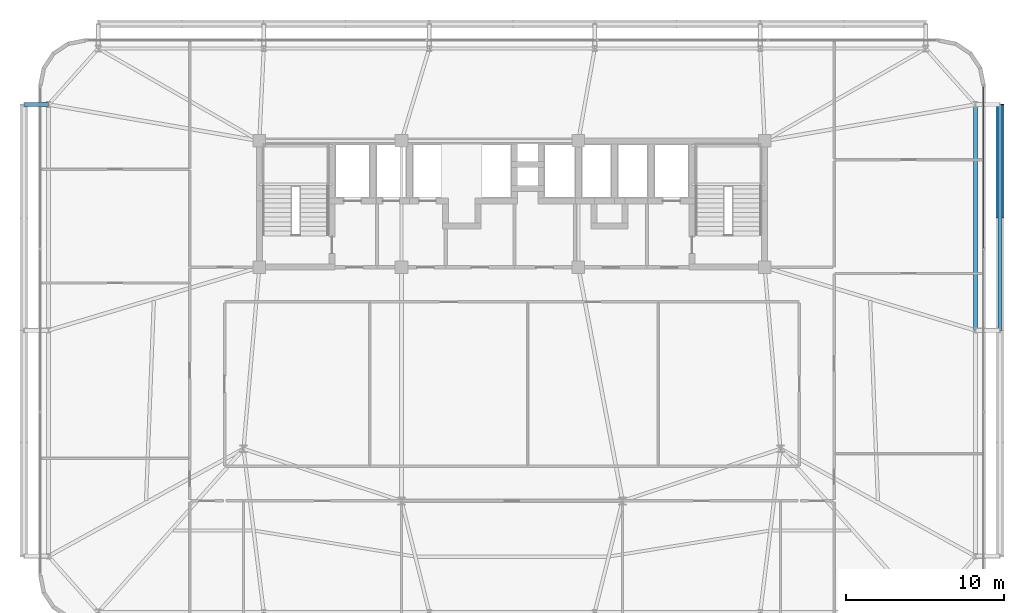
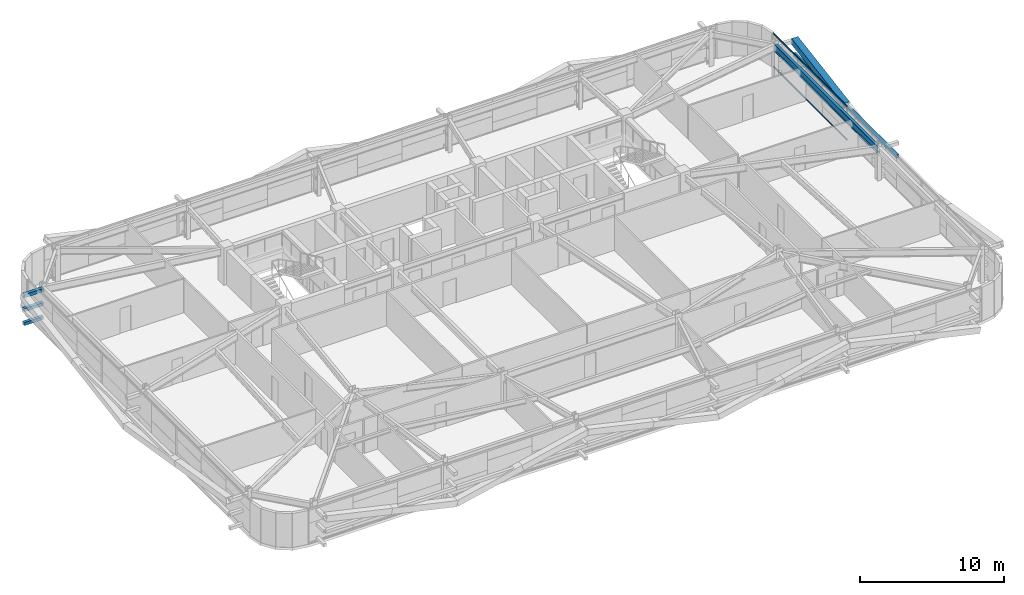
# One storey, part 20 of 45: 7 members, 1 beam, 1 element without a shape of its own.
"""IFC4 building model written with IfcOpenShell, lengths in metres."""

from ifc_helpers import new_model, si_unit, direction, frame, origin, origin_2d, place, context, subcontext, project, spatial, hollow_rectangle, i_section, extrude, source, transform, mapped, material, layer, layer_set, material_profile, profile_set, type_object, element, aggregate, save


model = new_model("IFC4")

# Units and contexts
model_context = context("Model", 3, precision=1e-05, world=origin(), true_north=direction((0.0, 1.0)))
body_context = subcontext(model_context, "Body", "Model", "MODEL_VIEW")
ifc_project = project(units=[si_unit("LENGTHUNIT", "METRE"), si_unit("AREAUNIT", "SQUARE_METRE"), si_unit("VOLUMEUNIT", "CUBIC_METRE"), si_unit("PLANEANGLEUNIT", "RADIAN"), si_unit("MASSUNIT", "GRAM", prefix="KILO")], contexts=[model_context])

# Site, building, storey
site_placement = place(None, origin())
site = spatial("IfcSite", under=ifc_project, at=site_placement, CompositionType="ELEMENT")
building_placement = place(site_placement, origin())
building = spatial("IfcBuilding", under=site, at=building_placement, Name="Taldren Reach Tower", CompositionType="ELEMENT")
storey_placement = place(building_placement, frame((0.0, 0.0, 57.75)))
storey = spatial("IfcBuildingStorey", under=building, at=storey_placement, Name="L17", CompositionType="ELEMENT", Elevation=57.75)

# Beam
ifc_material_1 = material(Name="Steel Gr 350 (350PLUS)", Category="steel")
ifc_material_profile_1 = material_profile(ifc_material_1, i_section(OverallWidth=0.22802734375, OverallDepth=0.60205078125, WebThickness=0.010498046875, FlangeThickness=0.014892578125, at=origin_2d()), Name="610UB101")
ifc_profile_set_1 = profile_set([ifc_material_profile_1], Name="Steel Gr 350 (350PLUS)")
beam_type = type_object("IfcBeamType", Name="BM-UB610B", PredefinedType="BEAM", material=ifc_profile_set_1)
shared_shape_1 = source(origin(), body_context, "Body", "SweptSolid", [
    extrude(i_section(OverallWidth=0.22802734375, OverallDepth=0.60205078125, WebThickness=0.010498046875, FlangeThickness=0.014892578125, at=origin_2d()), origin(), (0.0, 0.0, 1.0), 14.300048828125),
])
beam_placement = place(storey_placement, frame((64.35009765625, 20.0, 2.569091796875), z_axis=(0.0, 1.0, 0.0), x_axis=(-1.0, 0.0, 0.0)))
element("IfcBeam", 1, at=beam_placement, inside=storey, type_object=beam_type, Name="Perimeter gable girder B1 E2-E3 L17", PredefinedType="BEAM", context=body_context, shape_type="MappedRepresentation", body=[
    mapped(shared_shape_1, transform((0.0, 0.0, 0.0), scale=1.0)),
])

# Members
ifc_material_2 = material(Name="Steel Gr 450 (C450L0)", Category="steel")
ifc_material_profile_2 = material_profile(ifc_material_2, hollow_rectangle(XDim=0.27490234375, YDim=0.27490234375, WallThickness=0.00927734375, at=origin_2d()), Name="275x275x9.3SHS")
ifc_profile_set_2 = profile_set([ifc_material_profile_2], Name="Steel Gr 450 (C450L0)")
member_type_1 = type_object("IfcMemberType", Name="MB-TIE273", PredefinedType="STRUT", material=ifc_profile_set_2)
shared_shape_2 = source(origin(), body_context, "Body", "SweptSolid", [
    extrude(hollow_rectangle(XDim=0.27490234375, YDim=0.27490234375, WallThickness=0.00927734375, at=origin_2d()), origin(), (0.0, 0.0, 1.0), 1.5498046875),
])
member_1_placement = place(storey_placement, frame((5.64990234375, 34.300048828125, 2.590087890625), z_axis=(-1.0, 0.0, 0.0), x_axis=(0.0, -1.0, 0.0)))
element("IfcMember", 2, at=member_1_placement, inside=storey, type_object=member_type_1, Name="Exoskeleton diaphragm tie strut B1-W3 L17", PredefinedType="STRUT", context=body_context, shape_type="MappedRepresentation", body=[
    mapped(shared_shape_2, transform((0.0, 0.0, 0.0), scale=1.0)),
])
ifc_material_3 = material(Name="Steel Gr 350 (C350L0)", Category="steel")
ifc_material_profile_3 = material_profile(ifc_material_3, hollow_rectangle(XDim=0.25, YDim=0.25, WallThickness=0.010009765625, at=origin_2d()), Name="250x250x10.0SHS")
ifc_profile_set_3 = profile_set([ifc_material_profile_3], Name="Steel Gr 350 (C350L0)")
member_type_2 = type_object("IfcMemberType", Name="MB-POST250", PredefinedType="POST", material=ifc_profile_set_3)
shared_shape_3 = source(origin(), body_context, "Body", "SweptSolid", [
    extrude(hollow_rectangle(XDim=0.25, YDim=0.25, WallThickness=0.010009765625, at=origin_2d()), origin(), (0.0, 0.0, 1.0), 1.5498046875),
])
for number, where, z_axis, x_axis, name in (
    (3, (5.64990234375, 34.300048828125, 0.219970703125), (-1.0, 0.0, 0.0), (0.0, -1.0, 0.0), "Exoskeleton base diaphragm tie strut B1-W3 L17"),
    (4, (5.64990234375, 34.300048828125, 1.405029296875), (-1.0, 0.0, 0.0), (0.0, -1.0, 0.0), "Exoskeleton mid-tier diaphragm tie B1-W3 L17"),
):
    element("IfcMember", number, at=place(storey_placement, frame(where, z_axis=z_axis, x_axis=x_axis)), inside=storey, type_object=member_type_2, Name=name, PredefinedType="POST", context=body_context, shape_type="MappedRepresentation", body=[
        mapped(shared_shape_3, transform((0.0, 0.0, 0.0), scale=1.0)),
    ])
shared_shape_4 = source(origin(), body_context, "Body", "SweptSolid", [
    extrude(hollow_rectangle(XDim=0.25, YDim=0.25, WallThickness=0.010009765625, at=origin_2d()), origin(), (0.0, 0.0, 1.0), 14.300048828125),
])
member_2_placement = place(storey_placement, frame((65.89990234375, 20.0, 1.405029296875), z_axis=(0.0, 1.0, 0.0), x_axis=(-1.0, 0.0, 0.0)))
element("IfcMember", 5, at=member_2_placement, inside=storey, type_object=member_type_2, Name="Exoskeleton mid-height ring chord B1-E2 L17", PredefinedType="POST", context=body_context, shape_type="MappedRepresentation", body=[
    mapped(shared_shape_4, transform((0.0, 0.0, 0.0), scale=1.0)),
])
ifc_material_profile_4 = material_profile(ifc_material_2, hollow_rectangle(XDim=0.510009765625, YDim=0.510009765625, WallThickness=0.02001953125, at=origin_2d()), Name="510x510x20.0SHS")
ifc_profile_set_4 = profile_set([ifc_material_profile_4], Name="Steel Gr 450 (C450L0)")
member_type_3 = type_object("IfcMemberType", Name="MB-EXO508", PredefinedType="BRACE", material=ifc_profile_set_4)
shared_shape_5 = source(origin(), body_context, "Body", "SweptSolid", [
    extrude(hollow_rectangle(XDim=0.510009765625, YDim=0.510009765625, WallThickness=0.02001953125, at=origin_2d()), origin(), (0.0, 0.0, 1.0), 7.247802734375),
])
member_3_placement = place(storey_placement, frame((65.89990234375, 27.14990234375, 1.405029296875), z_axis=(0.0, 0.986541919455, 0.163508535427), x_axis=(-1.0, 0.0, 0.0)))
element("IfcMember", 6, at=member_3_placement, inside=storey, type_object=member_type_3, Name="Exoskeleton Diagrid Brace B1-E2 L17", PredefinedType="BRACE", context=body_context, shape_type="MappedRepresentation", body=[
    mapped(shared_shape_5, transform((0.0, 0.0, 0.0), scale=1.0)),
])

# Curtain wall, members
ifc_material_4 = material(Name="Aluminium and Low-E Glass Unitised System", Category="aluminium")
ifc_layer = layer(ifc_material_4, 0.159912109375)
ifc_layer_set = layer_set([ifc_layer], Name="Aluminium and Low-E Glass Unitised System")
curtain_wall_type = type_object("IfcCurtainWallType", Name="CW-SYS-2", PredefinedType="NOTDEFINED", material=ifc_layer_set)
curtain_wall_placement = place(storey_placement, origin())
curtain_wall = element("IfcCurtainWall", 7, at=curtain_wall_placement, inside=storey, type_object=curtain_wall_type, Name="Unitised curtain wall CW-L17-E", PredefinedType="NOTDEFINED")
ifc_material_5 = material(Name="Anodised Aluminium 6063-T6", Category="aluminium")
ifc_material_profile_5 = material_profile(ifc_material_5, hollow_rectangle(XDim=0.054931640625, YDim=0.1201171875, WallThickness=0.0029296875, at=origin_2d()), Name="ALU-120x55x3RHS")
ifc_profile_set_5 = profile_set([ifc_material_profile_5], Name="Anodised Aluminium 6063-T6")
member_type_4 = type_object("IfcMemberType", Name="CW-TRN-135", PredefinedType="USERDEFINED", material=ifc_profile_set_5)
shared_shape_6 = source(origin(), body_context, "Body", "SweptSolid", [
    extrude(hollow_rectangle(XDim=0.054931640625, YDim=0.1201171875, WallThickness=0.0029296875, at=origin_2d()), origin(), (0.0, 0.0, 1.0), 10.23583984375),
])
member_4_placement = place(storey_placement, frame((64.860107421875, 25.19921875, 0.027587890625), z_axis=(0.0, 1.0, 0.0), x_axis=(-1.0, 0.0, 0.0)))
member_4 = element("IfcMember", 8, at=member_4_placement, type_object=member_type_4, Name="CW-2 transom 3.1", ObjectType="TRANSOM", PredefinedType="USERDEFINED", context=body_context, shape_type="MappedRepresentation", body=[
    mapped(shared_shape_6, transform((0.0, 0.0, 0.0), scale=1.0)),
])
member_5_placement = place(storey_placement, frame((64.860107421875, 25.19921875, 2.842529296875), z_axis=(0.0, 1.0, 0.0), x_axis=(-1.0, 0.0, 0.0)))
member_5 = element("IfcMember", 9, at=member_5_placement, type_object=member_type_4, Name="CW-2 transom 3.2", ObjectType="TRANSOM", PredefinedType="USERDEFINED", context=body_context, shape_type="MappedRepresentation", body=[
    mapped(shared_shape_6, transform((0.0, 0.0, 0.0), scale=1.0)),
])
aggregate(curtain_wall, [member_4, member_5])

save(model, "model.ifc")
